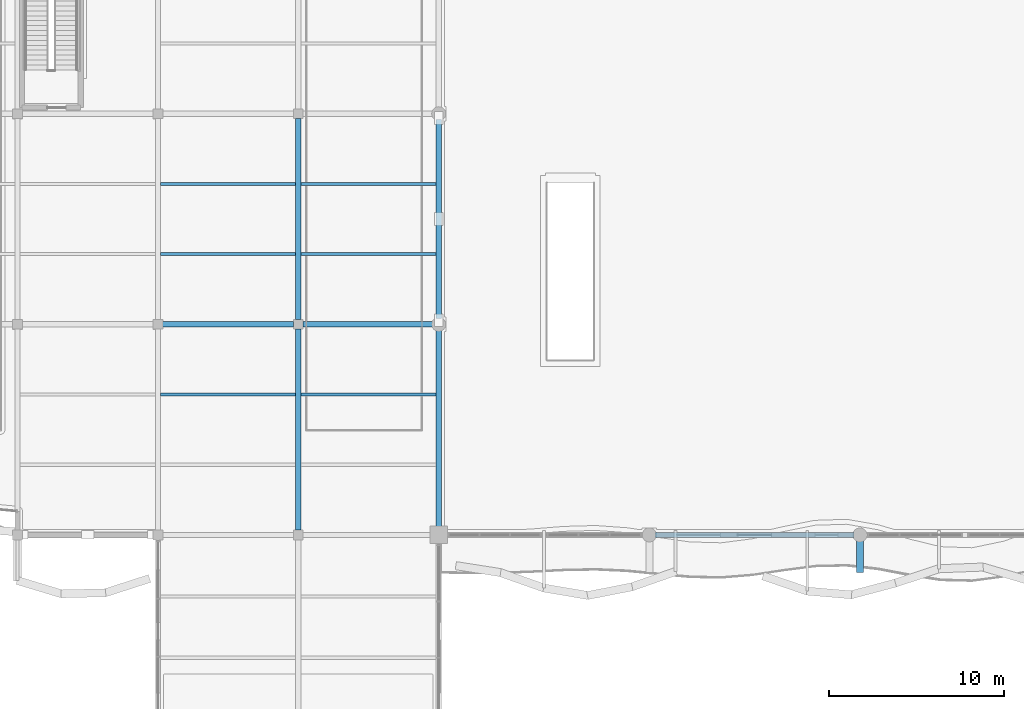
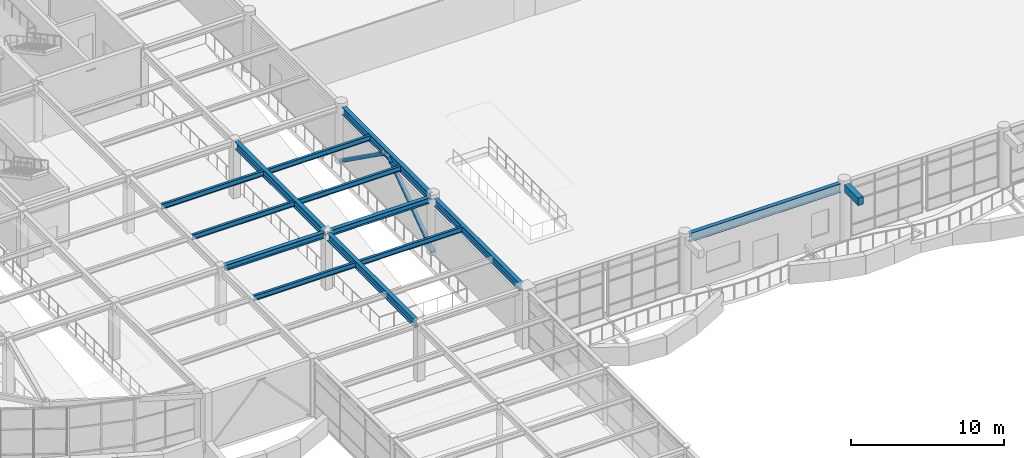
# One storey, part 15 of 72: 14 beams, 2 members.
"""IFC4 building model written with IfcOpenShell, lengths in metres."""

from ifc_helpers import new_model, si_unit, direction, frame, origin, origin_2d, place, context, subcontext, project, spatial, rectangle, hollow_circle, i_section, extrude, material, material_profile, profile_set, type_object, element, save


model = new_model("IFC4")

# Units and contexts
model_context = context("Model", 3, precision=1e-05, world=origin(), true_north=direction((0.0, 1.0)))
body_context = subcontext(model_context, "Body", "Model", "MODEL_VIEW")
ifc_project = project(units=[si_unit("LENGTHUNIT", "METRE"), si_unit("AREAUNIT", "SQUARE_METRE"), si_unit("VOLUMEUNIT", "CUBIC_METRE"), si_unit("PLANEANGLEUNIT", "RADIAN"), si_unit("MASSUNIT", "GRAM", prefix="KILO")], contexts=[model_context])

# Site, building, storey
site_placement = place(None, origin())
site = spatial("IfcSite", under=ifc_project, at=site_placement, CompositionType="ELEMENT")
building_placement = place(site_placement, origin())
building = spatial("IfcBuilding", under=site, at=building_placement, Name="Keelwater Ferry Terminal", CompositionType="ELEMENT")
storey_placement = place(building_placement, frame((0.0, 0.0, 5.39990234375)))
storey = spatial("IfcBuildingStorey", under=building, at=storey_placement, Name="L01", CompositionType="ELEMENT", Elevation=5.39990234375)

# Members
ifc_material_1 = material(Name="Steel S355", Category="steel")
ifc_material_profile_1 = material_profile(ifc_material_1, hollow_circle(Radius=0.161865234375, WallThickness=0.012451171875, at=origin_2d()), Name="CHS 323.9x12.5")
ifc_profile_set_1 = profile_set([ifc_material_profile_1], Name="Steel S355")
member_type = type_object("IfcMemberType", Name="BR1 CHS 323.9x12.5", PredefinedType="BRACE", material=ifc_profile_set_1)
for number, where, z_axis, x_axis, name in (
    (1, (48.0, 54.0, 0.0), (0.0, 0.814740243451, 0.579826125405), (-1.0, 0.0, 0.0), "Structural Member MB-L01-0551"),
    (2, (48.0, 66.0, 0.0), (0.0, -0.814740243451, 0.579826125405), (1.0, 0.0, 0.0), "Structural Member MB-L01-0552"),
):
    element("IfcMember", number, at=place(storey_placement, frame(where, z_axis=z_axis, x_axis=x_axis)), inside=storey, type_object=member_type, Name=name, PredefinedType="BRACE", context=body_context, shape_type="SweptSolid", body=[
        extrude(hollow_circle(Radius=0.161865234375, WallThickness=0.012451171875, at=origin_2d()), origin(), (0.0, 0.0, 1.0), 7.3642578125),
    ])

# Beams
ifc_material_2 = material(Name="Concrete C45/55", Category="concrete")
ifc_material_profile_2 = material_profile(ifc_material_2, rectangle(XDim=0.39990234375, YDim=0.60009765625, at=origin_2d()), Name="RC 400x600")
ifc_profile_set_2 = profile_set([ifc_material_profile_2], Name="Concrete C45/55")
beam_type_1 = type_object("IfcBeamType", Name="G11E RC 400x600", PredefinedType="BEAM", material=ifc_profile_set_2)
beam_1_placement = place(storey_placement, frame((72.0, 41.672119140625, 4.22021484375), z_axis=(0.0, -1.0, 0.0), x_axis=(1.0, 0.0, 0.0)))
element("IfcBeam", 3, at=beam_1_placement, inside=storey, type_object=beam_type_1, Name="Beam BM-L01-0957", PredefinedType="BEAM", context=body_context, shape_type="SweptSolid", body=[
    extrude(rectangle(XDim=0.39990234375, YDim=0.60009765625, at=origin_2d()), origin(), (0.0, 0.0, 1.0), 1.822021484375),
])
ifc_material_3 = material(Name="Steel S355", Category="steel")
ifc_material_profile_3 = material_profile(ifc_material_3, i_section(OverallWidth=0.300048828125, OverallDepth=0.699951171875, WebThickness=0.01708984375, FlangeThickness=0.031982421875, at=origin_2d()), Name="HEB 700")
ifc_profile_set_3 = profile_set([ifc_material_profile_3], Name="Steel S355")
beam_type_2 = type_object("IfcBeamType", Name="G2E HEB 700", PredefinedType="BEAM", material=ifc_profile_set_3)
beam_2_placement = place(storey_placement, frame((60.327880859375, 42.0, 4.170166015625), z_axis=(1.0, 0.0, 0.0), x_axis=(0.0, 1.0, 0.0)))
element("IfcBeam", 4, at=beam_2_placement, inside=storey, type_object=beam_type_2, Name="Beam BM-L01-0625", PredefinedType="BEAM", context=body_context, shape_type="SweptSolid", body=[
    extrude(i_section(OverallWidth=0.300048828125, OverallDepth=0.699951171875, WebThickness=0.01708984375, FlangeThickness=0.031982421875, at=origin_2d()), origin(), (0.0, 0.0, 1.0), 11.34423828125),
])
ifc_material_4 = material(Name="Steel S355", Category="steel")
ifc_material_profile_4 = material_profile(ifc_material_4, i_section(OverallWidth=0.300048828125, OverallDepth=0.60009765625, WebThickness=0.015380859375, FlangeThickness=0.030029296875, at=origin_2d()), Name="HEB 600")
ifc_profile_set_4 = profile_set([ifc_material_profile_4], Name="Steel S355")
beam_type_3 = type_object("IfcBeamType", Name="G3 HEB 600", PredefinedType="BEAM", material=ifc_profile_set_4)
for number, where, z_axis, x_axis, name in (
    (5, (40.0, 42.27001953125, 4.22021484375), (0.0, 1.0, 0.0), (-1.0, 0.0, 0.0), "Beam BM-L01-0731"),
    (6, (40.0, 54.27001953125, 4.22021484375), (0.0, 1.0, 0.0), (-1.0, 0.0, 0.0), "Beam BM-L01-0732"),
):
    element("IfcBeam", number, at=place(storey_placement, frame(where, z_axis=z_axis, x_axis=x_axis)), inside=storey, type_object=beam_type_3, Name=name, PredefinedType="BEAM", context=body_context, shape_type="SweptSolid", body=[
        extrude(i_section(OverallWidth=0.300048828125, OverallDepth=0.60009765625, WebThickness=0.015380859375, FlangeThickness=0.030029296875, at=origin_2d()), origin(), (0.0, 0.0, 1.0), 11.4599609375),
    ])
ifc_material_5 = material(Name="Steel S355", Category="steel")
ifc_material_profile_5 = material_profile(ifc_material_5, i_section(OverallWidth=0.300048828125, OverallDepth=0.60009765625, WebThickness=0.015380859375, FlangeThickness=0.030029296875, at=origin_2d()), Name="HEB 600")
ifc_profile_set_5 = profile_set([ifc_material_profile_5], Name="Steel S355")
beam_type_4 = type_object("IfcBeamType", Name="G3E HEB 600", PredefinedType="BEAM", material=ifc_profile_set_5)
beam_3_placement = place(storey_placement, frame((48.0, 42.489990234375, 4.22021484375), z_axis=(0.0, 1.0, 0.0), x_axis=(-1.0, 0.0, 0.0)))
element("IfcBeam", 7, at=beam_3_placement, inside=storey, type_object=beam_type_4, Name="Beam BM-L01-0739", PredefinedType="BEAM", context=body_context, shape_type="SweptSolid", body=[
    extrude(i_section(OverallWidth=0.300048828125, OverallDepth=0.60009765625, WebThickness=0.015380859375, FlangeThickness=0.030029296875, at=origin_2d()), origin(), (0.0, 0.0, 1.0), 11.18212890625),
])
beam_4_placement = place(storey_placement, frame((48.0, 54.327880859375, 4.22021484375), z_axis=(0.0, 1.0, 0.0), x_axis=(-1.0, 0.0, 0.0)))
element("IfcBeam", 8, at=beam_4_placement, inside=storey, type_object=beam_type_4, Name="Beam BM-L01-0740", PredefinedType="BEAM", context=body_context, shape_type="SweptSolid", body=[
    extrude(i_section(OverallWidth=0.300048828125, OverallDepth=0.60009765625, WebThickness=0.015380859375, FlangeThickness=0.030029296875, at=origin_2d()), origin(), (0.0, 0.0, 1.0), 11.34423828125),
])
ifc_material_6 = material(Name="Steel S355", Category="steel")
ifc_material_profile_6 = material_profile(ifc_material_6, i_section(OverallWidth=0.300048828125, OverallDepth=0.449951171875, WebThickness=0.013916015625, FlangeThickness=0.02587890625, at=origin_2d()), Name="HEB 450")
ifc_profile_set_6 = profile_set([ifc_material_profile_6], Name="Steel S355")
beam_type_5 = type_object("IfcBeamType", Name="G6 HEB 450", PredefinedType="BEAM", material=ifc_profile_set_6)
beam_5_placement = place(storey_placement, frame((32.27001953125, 54.0, 4.295166015625), z_axis=(1.0, 0.0, 0.0), x_axis=(0.0, 1.0, 0.0)))
element("IfcBeam", 9, at=beam_5_placement, inside=storey, type_object=beam_type_5, Name="Beam BM-L01-0638", PredefinedType="BEAM", context=body_context, shape_type="SweptSolid", body=[
    extrude(i_section(OverallWidth=0.300048828125, OverallDepth=0.449951171875, WebThickness=0.013916015625, FlangeThickness=0.02587890625, at=origin_2d()), origin(), (0.0, 0.0, 1.0), 7.4599609375),
])
beam_6_placement = place(storey_placement, frame((40.27001953125, 54.0, 4.295166015625), z_axis=(1.0, 0.0, 0.0), x_axis=(0.0, 1.0, 0.0)))
element("IfcBeam", 10, at=beam_6_placement, inside=storey, type_object=beam_type_5, Name="Beam BM-L01-0639", PredefinedType="BEAM", context=body_context, shape_type="SweptSolid", body=[
    extrude(i_section(OverallWidth=0.300048828125, OverallDepth=0.449951171875, WebThickness=0.013916015625, FlangeThickness=0.02587890625, at=origin_2d()), origin(), (0.0, 0.0, 1.0), 7.402099609375),
])
ifc_material_7 = material(Name="Steel S355", Category="steel")
ifc_material_profile_7 = material_profile(ifc_material_7, i_section(OverallWidth=0.179931640625, OverallDepth=0.39990234375, WebThickness=0.008544921875, FlangeThickness=0.013427734375, at=origin_2d()), Name="IPE 400")
ifc_profile_set_7 = profile_set([ifc_material_profile_7], Name="Steel S355")
beam_type_6 = type_object("IfcBeamType", Name="J5 IPE 400", PredefinedType="JOIST", material=ifc_profile_set_7)
for number, where, z_axis, x_axis, name in (
    (11, (32.14990234375, 50.0, 4.320068359375), (1.0, 0.0, 0.0), (0.0, 1.0, 0.0), "Beam BM-L01-0834"),
    (12, (32.14990234375, 58.0, 4.320068359375), (1.0, 0.0, 0.0), (0.0, 1.0, 0.0), "Beam BM-L01-0835"),
    (13, (32.14990234375, 62.0, 4.320068359375), (1.0, 0.0, 0.0), (0.0, 1.0, 0.0), "Beam BM-L01-0836"),
    (14, (40.14990234375, 50.0, 4.320068359375), (1.0, 0.0, 0.0), (0.0, 1.0, 0.0), "Beam BM-L01-0846"),
    (15, (40.14990234375, 58.0, 4.320068359375), (1.0, 0.0, 0.0), (0.0, 1.0, 0.0), "Beam BM-L01-0847"),
    (16, (40.14990234375, 62.0, 4.320068359375), (1.0, 0.0, 0.0), (0.0, 1.0, 0.0), "Beam BM-L01-0848"),
):
    element("IfcBeam", number, at=place(storey_placement, frame(where, z_axis=z_axis, x_axis=x_axis)), inside=storey, type_object=beam_type_6, Name=name, PredefinedType="JOIST", context=body_context, shape_type="SweptSolid", body=[
        extrude(i_section(OverallWidth=0.179931640625, OverallDepth=0.39990234375, WebThickness=0.008544921875, FlangeThickness=0.013427734375, at=origin_2d()), origin(), (0.0, 0.0, 1.0), 7.7001953125),
    ])

save(model, "model.ifc")
